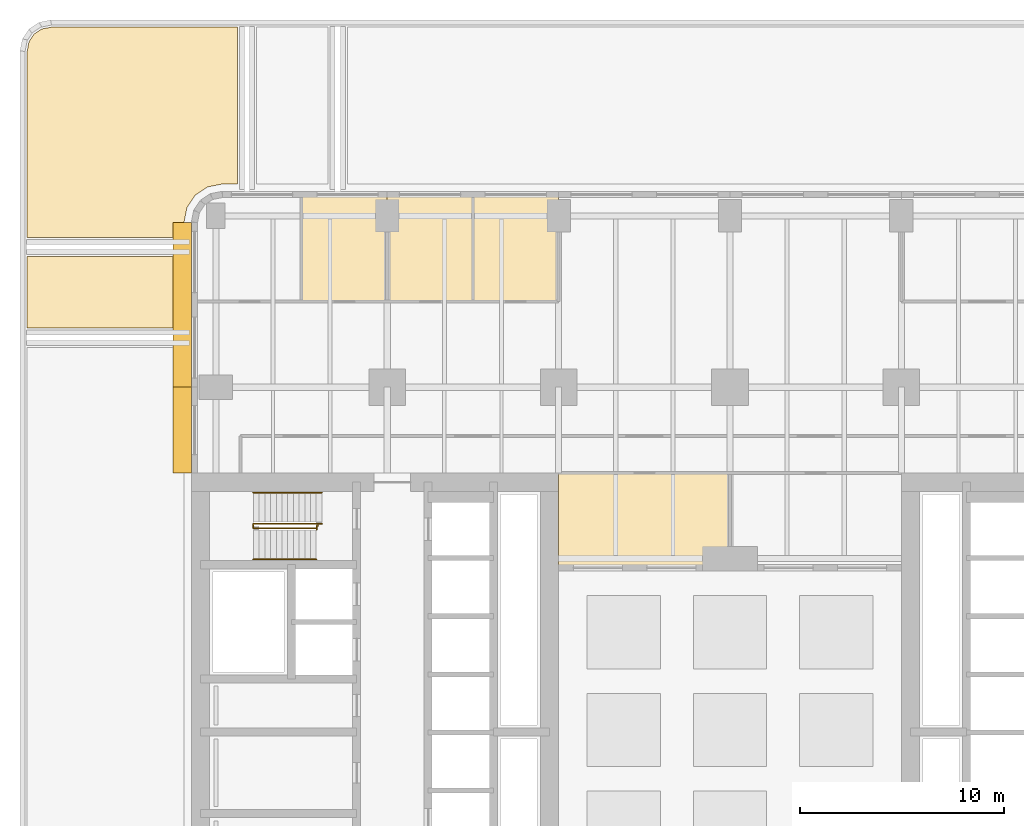
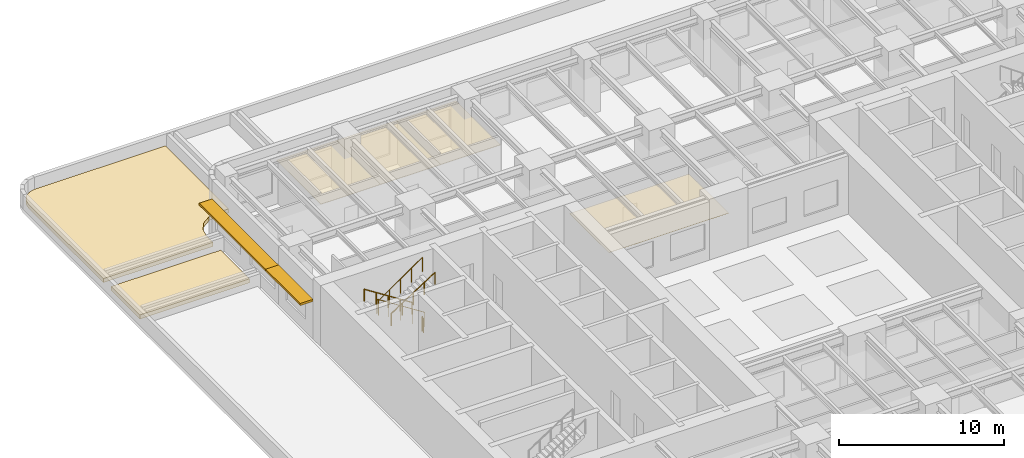
# One storey, part 15 of 17: 6 coverings, 4 railings, 2 shading devices.
"""IFC4 building model written with IfcOpenShell, lengths in metres."""

import ifcopenshell
import ifcopenshell.guid

model = None  # the IFC model being written
_history = None  # IfcOwnerHistory: only IFC2X3 demands one
_inside = {}  # id of a spatial element -> (the spatial element, [elements in it])
_under = {}  # id of a project, library or spatial element -> (it, [spatial elements below it])
_declared = {}  # id of a project -> (the project, [libraries it declares])
_typed = {}  # id of a type object -> (the type object, [elements of that type])
_made_of = {}  # id of a material, layer set ... -> (it, [elements and type objects made of it])


def new_model(schema):
    """Start an empty IFC model of exactly this schema.

    Asked for "IFC4X3", IfcOpenShell would pick the latest addendum, in which some entities
    have other attributes; the version numbers below select the first issue.
    IFC2X3 requires an IfcOwnerHistory on every rooted entity: one is made here for all.
    """
    global model, _history
    if schema == "IFC4X3":
        model = ifcopenshell.file(schema_version=(4, 3, 0, 0))
    else:
        model = ifcopenshell.file(schema=schema)
    _inside.clear()
    _under.clear()
    _declared.clear()
    _typed.clear()
    _made_of.clear()
    _history = None
    if model.schema == "IFC2X3":
        org = make("IfcOrganization", Name="unknown")
        user = make(
            "IfcPersonAndOrganization",
            ThePerson=make("IfcPerson", FamilyName="unknown"),
            TheOrganization=org,
        )
        app = make(
            "IfcApplication",
            ApplicationDeveloper=org,
            Version="unknown",
            ApplicationFullName="unknown",
            ApplicationIdentifier="unknown",
        )
        _history = make(
            "IfcOwnerHistory",
            OwningUser=user,
            OwningApplication=app,
            ChangeAction="ADDED",
            CreationDate=0,
        )
    return model


def make(cls, **values):
    """One entity of the class cls with the attributes given. An attribute that is None is left unset."""
    return model.create_entity(
        cls, **{name: value for name, value in values.items() if value is not None}
    )


def rooted(cls, **values):
    """An entity with a GlobalId (a new one), such as an element, a storey or a relation."""
    return make(cls, GlobalId=ifcopenshell.guid.new(), OwnerHistory=_history, **values)


def si_unit(unit_type, name, prefix=None):
    """IfcSIUnit, for example si_unit("LENGTHUNIT", "METRE", prefix="MILLI")."""
    return make("IfcSIUnit", UnitType=unit_type, Prefix=prefix, Name=name)


def assignment(units):
    """IfcUnitAssignment: the units of a project."""
    return None if units is None else make("IfcUnitAssignment", Units=units)


def point(xyz):
    """IfcCartesianPoint."""
    return None if xyz is None else make("IfcCartesianPoint", Coordinates=xyz)


def direction(xyz):
    """IfcDirection."""
    return None if xyz is None else make("IfcDirection", DirectionRatios=xyz)


def frame(location, z_axis=None, x_axis=None):
    """IfcAxis2Placement3D, a coordinate frame: its origin and axes. An axis left out is left unset."""
    return make(
        "IfcAxis2Placement3D",
        Location=point(location),
        Axis=direction(z_axis),
        RefDirection=direction(x_axis),
    )


def frame_2d(location, x_axis=None):
    """IfcAxis2Placement2D, a coordinate frame in the plane: its origin and x axis."""
    return make(
        "IfcAxis2Placement2D", Location=point(location), RefDirection=direction(x_axis)
    )


def origin():
    """The frame at (0, 0, 0) with its axes left unset."""
    return frame((0.0, 0.0, 0.0))


def origin_2d():
    """The frame at (0, 0) in the plane with its x axis left unset."""
    return frame_2d((0.0, 0.0))


def place(relative_to, where):
    """IfcLocalPlacement: puts the frame where relative to a parent placement (None: the world)."""
    return make(
        "IfcLocalPlacement", PlacementRelTo=relative_to, RelativePlacement=where
    )


def context(
    kind, dimensions, precision=None, world=None, true_north=None, identifier=None
):
    """IfcGeometricRepresentationContext, for example the 3D "Model" context."""
    return make(
        "IfcGeometricRepresentationContext",
        ContextIdentifier=identifier,
        ContextType=kind,
        CoordinateSpaceDimension=dimensions,
        Precision=precision,
        WorldCoordinateSystem=world,
        TrueNorth=true_north,
    )


def subcontext(parent, identifier, kind, view, scale=None):
    """IfcGeometricRepresentationSubContext, for example "Body" below "Model"."""
    return make(
        "IfcGeometricRepresentationSubContext",
        ContextIdentifier=identifier,
        ContextType=kind,
        ParentContext=parent,
        TargetScale=scale,
        TargetView=view,
    )


def project(units=None, contexts=None):
    """IfcProject with its units and contexts."""
    return rooted(
        "IfcProject",
        Name="project",
        RepresentationContexts=contexts,
        UnitsInContext=assignment(units),
    )


def spatial(cls, under=None, at=None, **own):
    """A site, building, storey or space (cls), placed at a placement, below another one or the project."""
    s = rooted(cls, ObjectPlacement=at, **own)
    if under is not None:
        _under.setdefault(under.id(), (under, []))[1].append(s)
    return s


def polyline(points):
    """IfcPolyline through the points."""
    return make("IfcPolyline", Points=[point(p) for p in points])


def profile(cls, at=None, kind="AREA", **sizes):
    """A parametric profile (cls). Its sizes go by their IFC names, for example OverallWidth=200.0."""
    return make(cls, ProfileType=kind, Position=at, **sizes)


def rectangle(**sizes):
    """IfcRectangleProfileDef."""
    return profile("IfcRectangleProfileDef", **sizes)


def circle(**sizes):
    """IfcCircleProfileDef."""
    return profile("IfcCircleProfileDef", **sizes)


def outline(outer, holes=None, kind="AREA"):
    """IfcArbitraryClosedProfileDef: a profile drawn as a closed curve; with holes, ...WithVoids."""
    if holes is None:
        return make("IfcArbitraryClosedProfileDef", ProfileType=kind, OuterCurve=outer)
    return make(
        "IfcArbitraryProfileDefWithVoids",
        ProfileType=kind,
        OuterCurve=outer,
        InnerCurves=holes,
    )


def extrude(swept, where, along, depth):
    """IfcExtrudedAreaSolid: the profile swept, set in the frame where, extruded along a direction by depth."""
    return make(
        "IfcExtrudedAreaSolid",
        SweptArea=swept,
        Position=where,
        ExtrudedDirection=direction(along),
        Depth=depth,
    )


def shape(context_of_items, identifier, shape_type, items):
    """IfcShapeRepresentation: the items that make up one representation, for example the "Body"."""
    return make(
        "IfcShapeRepresentation",
        ContextOfItems=context_of_items,
        RepresentationIdentifier=identifier,
        RepresentationType=shape_type,
        Items=items,
    )


def material(Name=None, Category=None):
    """IfcMaterial."""
    return make("IfcMaterial", Name=Name, Category=Category)


def layer(
    of_material, thickness, ventilated=None, Name=None, Category=None, Priority=None
):
    """IfcMaterialLayer: one layer of a wall or slab, of a material (None: an air gap)."""
    return make(
        "IfcMaterialLayer",
        Material=of_material,
        LayerThickness=thickness,
        IsVentilated=ventilated,
        Name=Name,
        Category=Category,
        Priority=Priority,
    )


def layer_set(layers, Name=None):
    """IfcMaterialLayerSet."""
    return make("IfcMaterialLayerSet", MaterialLayers=layers, LayerSetName=Name)


def made_of(thing, what):
    """Note that an element or type object is made of a material, layer set ...; save() writes the relation."""
    if what is not None:
        _made_of.setdefault(what.id(), (what, []))[1].append(thing)
    return thing


def type_object(cls, material=None, **own):
    """A type object (cls), such as IfcWallType, which elements share."""
    return made_of(rooted(cls, **own), material)


def element(
    cls,
    number,
    at=None,
    inside=None,
    cuts=None,
    type_object=None,
    material=None,
    context=None,
    identifier="Body",
    shape_type=None,
    held_by="IfcProductDefinitionShape",
    body=None,
    shapes=None,
    **own,
):
    """One element of the class cls, such as IfcWall. Its Tag is "e" and its number.

    at: its placement. inside: the storey or other place that contains it. cuts: it is an
    opening in that element (IfcRelVoidsElement). A single representation is given by context,
    identifier, shape_type and body (its items); several are given by shapes. held_by: the class
    of the entity that holds the representations. save() writes the other relations.
    """
    e = rooted(cls, Tag="e%d" % number, ObjectPlacement=at, **own)
    if body is not None:
        shapes = [shape(context, identifier, shape_type, body)]
    if shapes is not None:
        e.Representation = make(held_by, Representations=shapes)
    if inside is not None:
        _inside.setdefault(inside.id(), (inside, []))[1].append(e)
    if cuts is not None:
        rooted(
            "IfcRelVoidsElement", RelatingBuildingElement=cuts, RelatedOpeningElement=e
        )
    if type_object is not None:
        _typed.setdefault(type_object.id(), (type_object, []))[1].append(e)
    return made_of(e, material)


def aggregate(whole, parts):
    """IfcRelAggregates: a whole, such as a stair, and the parts it consists of."""
    return rooted("IfcRelAggregates", RelatingObject=whole, RelatedObjects=parts)


def save(model, path):
    """Write the relations noted so far, then the file.

    IfcRelAggregates (storeys below a building ...), IfcRelContainedInSpatialStructure (elements
    in a storey), IfcRelDefinesByType, IfcRelAssociatesMaterial and IfcRelDeclares: one each for
    every whole, place, type object, material and project.
    """
    for whole, parts in _under.values():
        aggregate(whole, parts)
    for where, things in _inside.values():
        rooted(
            "IfcRelContainedInSpatialStructure",
            RelatedElements=things,
            RelatingStructure=where,
        )
    for kind, things in _typed.values():
        rooted("IfcRelDefinesByType", RelatedObjects=things, RelatingType=kind)
    for what, things in _made_of.values():
        rooted("IfcRelAssociatesMaterial", RelatedObjects=things, RelatingMaterial=what)
    for by, libraries in _declared.values():
        rooted("IfcRelDeclares", RelatingContext=by, RelatedDefinitions=libraries)
    model.write(path)


model = new_model("IFC4")

# Units and contexts
model_context = context("Model", 3, precision=1e-05, world=origin(), true_north=direction((0.0, 1.0)))
body_context = subcontext(model_context, "Body", "Model", "MODEL_VIEW")
ifc_project = project(units=[si_unit("LENGTHUNIT", "METRE"), si_unit("AREAUNIT", "SQUARE_METRE"), si_unit("VOLUMEUNIT", "CUBIC_METRE"), si_unit("PLANEANGLEUNIT", "RADIAN"), si_unit("MASSUNIT", "GRAM", prefix="KILO")], contexts=[model_context])

# Site, building, storey
site_placement = place(None, origin())
site = spatial("IfcSite", under=ifc_project, at=site_placement, CompositionType="ELEMENT")
building_placement = place(site_placement, origin())
building = spatial("IfcBuilding", under=site, at=building_placement, Name="Claustro Exchange Tower", CompositionType="ELEMENT")
storey_placement = place(building_placement, frame((0.0, 0.0, 18.89990234375)))
storey = spatial("IfcBuildingStorey", under=building, at=storey_placement, Name="L04", CompositionType="ELEMENT", Elevation=18.89990234375)

# Coverings
ifc_material_1 = material(Name="Gypsum board ceiling", Category="gypsum board")
ifc_layer_1 = layer(ifc_material_1, 0.02490234375)
ifc_layer_set_1 = layer_set([ifc_layer_1], Name="Gypsum board ceiling")
covering_type_1 = type_object("IfcCoveringType", Name="CL2 plasterboard ceiling", PredefinedType="CEILING", material=ifc_layer_set_1)
covering_1_placement = place(storey_placement, frame((0.0, 0.0, 3.0)))
element("IfcCovering", 1, at=covering_1_placement, inside=storey, type_object=covering_type_1, Name="Ceiling CL2 L04-11", PredefinedType="CEILING", context=body_context, shape_type="SweptSolid", body=[
    extrude(outline(polyline([(16.800048828125, 33.0), (25.199951171875, 33.0), (25.199951171875, 37.800048828125), (16.800048828125, 37.800048828125), (16.800048828125, 33.0)])), origin(), (0.0, 0.0, 1.0), 0.025146484375),
])
covering_2_placement = place(storey_placement, frame((0.0, 0.0, 3.0)))
element("IfcCovering", 2, at=covering_2_placement, inside=storey, type_object=covering_type_1, Name="Ceiling CL2 L04-16", PredefinedType="CEILING", context=body_context, shape_type="SweptSolid", body=[
    extrude(outline(polyline([(8.39990234375, 51.60009765625), (4.199951171875, 51.60009765625), (4.199951171875, 46.199951171875), (8.39990234375, 46.199951171875), (8.39990234375, 51.60009765625)])), origin(), (0.0, 0.0, 1.0), 0.025146484375),
])
covering_3_placement = place(storey_placement, frame((0.0, 0.0, 3.0)))
element("IfcCovering", 3, at=covering_3_placement, inside=storey, type_object=covering_type_1, Name="Ceiling CL2 L04-17", PredefinedType="CEILING", context=body_context, shape_type="SweptSolid", body=[
    extrude(outline(polyline([(12.60009765625, 51.60009765625), (8.39990234375, 51.60009765625), (8.39990234375, 46.199951171875), (12.60009765625, 46.199951171875), (12.60009765625, 51.60009765625)])), origin(), (0.0, 0.0, 1.0), 0.025146484375),
])
covering_4_placement = place(storey_placement, frame((0.0, 0.0, 3.0)))
element("IfcCovering", 4, at=covering_4_placement, inside=storey, type_object=covering_type_1, Name="Ceiling CL2 L04-18", PredefinedType="CEILING", context=body_context, shape_type="SweptSolid", body=[
    extrude(outline(polyline([(16.800048828125, 51.60009765625), (12.60009765625, 51.60009765625), (12.60009765625, 46.199951171875), (16.800048828125, 46.199951171875), (16.800048828125, 51.60009765625)])), origin(), (0.0, 0.0, 1.0), 0.025146484375),
])

# Railings
ifc_material_2 = material(Name="Steel balustrade, painted", Category="steel")
railing_type_1 = type_object("IfcRailingType", Name="GR2 1100 steel stair guard", PredefinedType="GUARDRAIL", material=ifc_material_2)
railing_1_placement = place(storey_placement, frame((5.199951171875, 35.300048828125, 0.18017578125)))
element("IfcRailing", 5, at=railing_1_placement, inside=storey, type_object=railing_type_1, Name="Stair well guard GR2 stair STWB L04", PredefinedType="GUARDRAIL", context=body_context, shape_type="SweptSolid", body=[
    extrude(circle(Radius=0.02392578125, at=origin_2d()), frame((0.0, 0.0, 1.076171875), z_axis=(-0.841178475377, 0.0, 0.540757591313), x_axis=(0.0, -1.0, 0.0)), (0.0, 0.0, 1.0), 3.994140625),
    extrude(circle(Radius=0.02392578125, at=origin_2d()), frame((-3.35986328125, 0.0, 3.23583984375), z_axis=(0.0, -1.0, 0.0), x_axis=(1.0, 0.0, 0.0)), (0.0, 0.0, 1.0), 0.199951171875),
    extrude(circle(Radius=0.02392578125, at=origin_2d()), frame((-3.35986328125, -0.199951171875, 3.23583984375), z_axis=(0.818728512145, 0.0, 0.574180828137), x_axis=(0.0, 1.0, 0.0)), (0.0, 0.0, 1.0), 3.76171875),
    extrude(circle(Radius=0.02099609375, at=origin_2d()), origin(), (0.0, 0.0, 1.0), 1.052001953125),
    extrude(circle(Radius=0.02099609375, at=origin_2d()), frame((-0.83984375, 0.0, 0.5400390625)), (0.0, 0.0, 1.0), 1.052001953125),
    extrude(circle(Radius=0.02099609375, at=origin_2d()), frame((-1.679931640625, 0.0, 1.080078125)), (0.0, 0.0, 1.0), 1.052001953125),
    extrude(circle(Radius=0.02099609375, at=origin_2d()), frame((-2.52001953125, 0.0, 1.619873046875)), (0.0, 0.0, 1.0), 1.052001953125),
    extrude(circle(Radius=0.02099609375, at=origin_2d()), frame((-3.35986328125, 0.0, 2.159912109375)), (0.0, 0.0, 1.0), 1.052001953125),
    extrude(circle(Radius=0.02099609375, at=origin_2d()), frame((-3.35986328125, -0.199951171875, 2.159912109375)), (0.0, 0.0, 1.0), 1.052001953125),
    extrude(circle(Radius=0.02099609375, at=origin_2d()), frame((-2.58984375, -0.199951171875, 2.699951171875)), (0.0, 0.0, 1.0), 1.052001953125),
    extrude(circle(Radius=0.02099609375, at=origin_2d()), frame((-1.81982421875, -0.199951171875, 3.23974609375)), (0.0, 0.0, 1.0), 1.052001953125),
    extrude(circle(Radius=0.02099609375, at=origin_2d()), frame((-1.050048828125, -0.199951171875, 3.77978515625)), (0.0, 0.0, 1.0), 1.052001953125),
    extrude(circle(Radius=0.02099609375, at=origin_2d()), frame((-0.280029296875, -0.199951171875, 4.31982421875)), (0.0, 0.0, 1.0), 1.052001953125),
])
railing_2_placement = place(storey_placement, frame((5.0, 35.22998046875, 0.0)))
element("IfcRailing", 6, at=railing_2_placement, inside=storey, type_object=railing_type_1, Name="Stair guard GR2 STWB L04", PredefinedType="GUARDRAIL", context=body_context, shape_type="SweptSolid", body=[
    extrude(circle(Radius=0.02392578125, at=origin_2d()), frame((0.0, 0.0, 1.076171875), z_axis=(0.0, -1.0, 0.0), x_axis=(1.0, 0.0, 0.0)), (0.0, 0.0, 1.0), 0.030029296875),
    extrude(circle(Radius=0.02392578125, at=origin_2d()), frame((0.0, -0.030029296875, 1.076171875), z_axis=(-1.0, 0.0, 0.0), x_axis=(0.0, -1.0, 0.0)), (0.0, 0.0, 1.0), 0.054931640625),
    extrude(circle(Radius=0.02392578125, at=origin_2d()), frame((-0.054931640625, -0.030029296875, 1.076171875), z_axis=(0.0, -1.0, 0.0), x_axis=(1.0, 0.0, 0.0)), (0.0, 0.0, 1.0), 0.179931640625),
    extrude(circle(Radius=0.02099609375, at=origin_2d()), origin(), (0.0, 0.0, 1.0), 1.052001953125),
    extrude(circle(Radius=0.02099609375, at=origin_2d()), frame((0.0, -0.030029296875, 0.0)), (0.0, 0.0, 1.0), 1.052001953125),
    extrude(circle(Radius=0.02099609375, at=origin_2d()), frame((-0.054931640625, -0.030029296875, 0.0)), (0.0, 0.0, 1.0), 1.052001953125),
    extrude(circle(Radius=0.02099609375, at=origin_2d()), frame((-0.054931640625, -0.2099609375, 0.0)), (0.0, 0.0, 1.0), 1.052001953125),
])
ifc_material_3 = material(Name="Stainless steel tube", Category="steel")
railing_type_2 = type_object("IfcRailingType", Name="HR1 900 stair handrail", PredefinedType="HANDRAIL", material=ifc_material_3)
railing_3_placement = place(storey_placement, frame((5.199951171875, 36.840087890625, 0.18017578125)))
element("IfcRailing", 7, at=railing_3_placement, inside=storey, type_object=railing_type_2, Name="Handrail HR1 stair STWB L04", PredefinedType="HANDRAIL", context=body_context, shape_type="SweptSolid", body=[
    extrude(circle(Radius=0.02392578125, at=origin_2d()), frame((0.0, 0.0, 0.8759765625), z_axis=(-0.841178475377, 0.0, 0.540757591313), x_axis=(0.0, -1.0, 0.0)), (0.0, 0.0, 1.0), 3.994140625),
    extrude(circle(Radius=0.02099609375, at=origin_2d()), origin(), (0.0, 0.0, 1.0), 0.851806640625),
    extrude(circle(Radius=0.02099609375, at=origin_2d()), frame((-0.83984375, 0.0, 0.5400390625)), (0.0, 0.0, 1.0), 0.851806640625),
    extrude(circle(Radius=0.02099609375, at=origin_2d()), frame((-1.679931640625, 0.0, 1.080078125)), (0.0, 0.0, 1.0), 0.851806640625),
    extrude(circle(Radius=0.02099609375, at=origin_2d()), frame((-2.52001953125, 0.0, 1.619873046875)), (0.0, 0.0, 1.0), 0.851806640625),
    extrude(circle(Radius=0.02099609375, at=origin_2d()), frame((-3.35986328125, 0.0, 2.159912109375)), (0.0, 0.0, 1.0), 0.851806640625),
])
railing_4_placement = place(storey_placement, frame((1.840087890625, 33.56005859375, 2.52001953125)))
element("IfcRailing", 8, at=railing_4_placement, inside=storey, type_object=railing_type_2, Name="Handrail HR1 stair STWB L04", PredefinedType="HANDRAIL", context=body_context, shape_type="SweptSolid", body=[
    extrude(circle(Radius=0.02392578125, at=origin_2d()), frame((0.0, 0.0, 0.8759765625), z_axis=(0.841167642724, 0.0, 0.540774441735), x_axis=(0.0, 1.0, 0.0)), (0.0, 0.0, 1.0), 3.661376953125),
    extrude(circle(Radius=0.02099609375, at=origin_2d()), origin(), (0.0, 0.0, 1.0), 0.851806640625),
    extrude(circle(Radius=0.02099609375, at=origin_2d()), frame((0.77001953125, 0.0, 0.4951171875)), (0.0, 0.0, 1.0), 0.851806640625),
    extrude(circle(Radius=0.02099609375, at=origin_2d()), frame((1.5400390625, 0.0, 0.989990234375)), (0.0, 0.0, 1.0), 0.851806640625),
    extrude(circle(Radius=0.02099609375, at=origin_2d()), frame((2.309814453125, 0.0, 1.48486328125)), (0.0, 0.0, 1.0), 0.851806640625),
    extrude(circle(Radius=0.02099609375, at=origin_2d()), frame((3.079833984375, 0.0, 1.97998046875)), (0.0, 0.0, 1.0), 0.851806640625),
])

# Coverings
ifc_material_4 = material(Name="Sedum blanket on substrate and drainage layer", Category="soil")
ifc_layer_2 = layer(ifc_material_4, 0.300048828125)
ifc_layer_set_2 = layer_set([ifc_layer_2], Name="Sedum blanket on substrate and drainage layer")
covering_type_2 = type_object("IfcCoveringType", Name="RG1 300 extensive green roof build-up", PredefinedType="ROOFING", material=ifc_layer_set_2)
covering_5_placement = place(storey_placement, origin())
element("IfcCovering", 9, at=covering_5_placement, inside=storey, type_object=covering_type_2, Name="Roof finish RG1 over L03, maintenance access only", PredefinedType="ROOFING", context=body_context, shape_type="SweptSolid", body=[
    extrude(outline(polyline([(1.050048828125, 59.64990234375), (-8.0654296875, 59.64990234375), (-8.53759765625, 59.55615234375), (-8.908447265625, 59.308349609375), (-9.156005859375, 58.9375), (-9.25, 58.465576171875), (-9.25, 49.35009765625), (-1.550048828125, 49.35009765625), (-1.550048828125, 50.134521484375), (-1.41552734375, 50.810546875), (-1.012939453125, 51.4130859375), (-0.410400390625, 51.8154296875), (0.265380859375, 51.949951171875), (1.050048828125, 51.949951171875), (1.050048828125, 59.64990234375)])), origin(), (0.0, 0.0, 1.0), 0.300048828125),
])
covering_6_placement = place(storey_placement, origin())
element("IfcCovering", 10, at=covering_6_placement, inside=storey, type_object=covering_type_2, Name="Roof finish RG1 over L03, maintenance access only", PredefinedType="ROOFING", context=body_context, shape_type="SweptSolid", body=[
    extrude(outline(polyline([(-9.25, 48.39990234375), (-9.25, 44.89990234375), (-1.550048828125, 44.89990234375), (-1.550048828125, 48.39990234375), (-9.25, 48.39990234375)])), origin(), (0.0, 0.0, 1.0), 0.300048828125),
])

# Shading devices
ifc_material_5 = material(Name="Concrete HA-40 (C40/50), precast, white cement, acid-etched", Category="concrete")
ifc_layer_3 = layer(ifc_material_5, 0.14990234375)
ifc_layer_set_3 = layer_set([ifc_layer_3], Name="Concrete HA-40 (C40/50), precast, white cement, acid-etched")
shading_device_type = type_object("IfcShadingDeviceType", Name="SS2 900 precast concrete SUNSHADE", PredefinedType="SHUTTER", material=ifc_layer_set_3)
shading_device_1_placement = place(storey_placement, frame((-1.64990234375, 39.89990234375, 2.800048828125), z_axis=(0.0, 0.0, 1.0), x_axis=(0.0, 1.0, 0.0)))
element("IfcShadingDevice", 11, at=shading_device_1_placement, inside=storey, type_object=shading_device_type, Name="Precast SUNSHADE SS2 L04", PredefinedType="SHUTTER", context=body_context, shape_type="SweptSolid", body=[
    extrude(rectangle(XDim=4.199951171875, YDim=0.89990234375, at=origin_2d()), origin(), (0.0, 0.0, 1.0), 0.14990234375),
])
shading_device_2_placement = place(storey_placement, frame((-1.64990234375, 46.04248046875, 2.800048828125), z_axis=(0.0, 0.0, 1.0), x_axis=(0.0, 1.0, 0.0)))
element("IfcShadingDevice", 12, at=shading_device_2_placement, inside=storey, type_object=shading_device_type, Name="Precast SUNSHADE SS2 L04", PredefinedType="SHUTTER", context=body_context, shape_type="SweptSolid", body=[
    extrude(rectangle(XDim=8.085205078125, YDim=0.89990234375, at=origin_2d()), origin(), (0.0, 0.0, 1.0), 0.14990234375),
])

save(model, "model.ifc")
